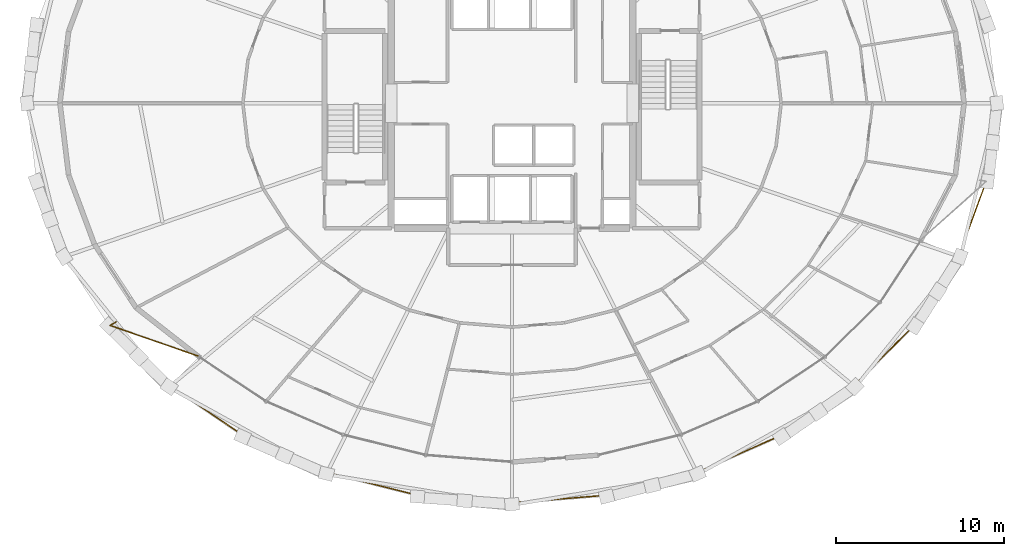
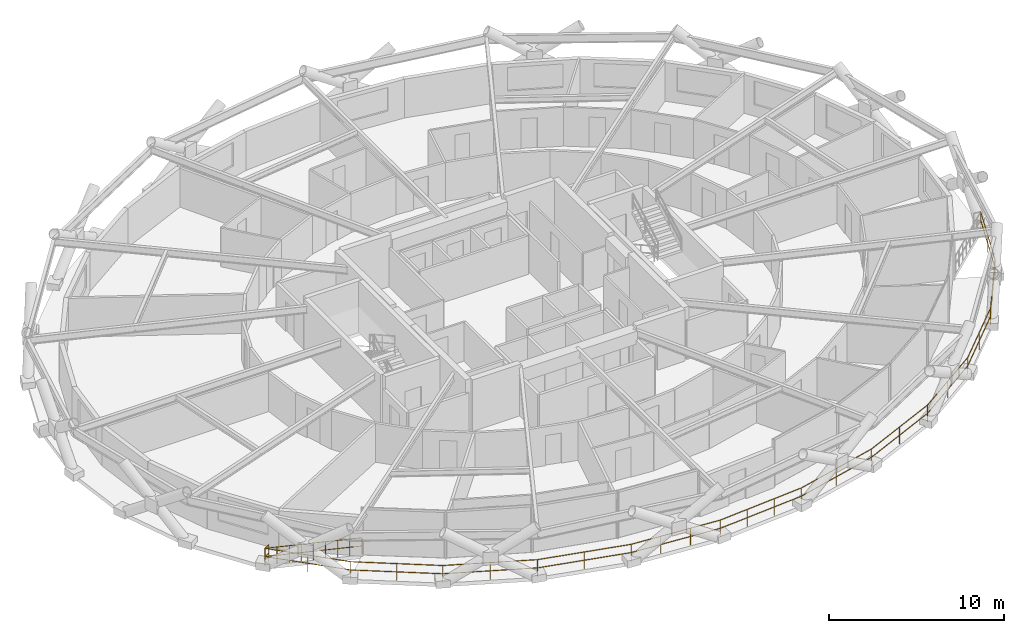
# One storey, part 18 of 19: 2 railings.
"""IFC4 building model written with IfcOpenShell, lengths in metres."""

from ifc_helpers import new_model, si_unit, direction, frame, origin, origin_2d, place, context, subcontext, project, spatial, circle, extrude, material, type_object, element, save


model = new_model("IFC4")

# Units and contexts
model_context = context("Model", 3, precision=1e-05, world=origin(), true_north=direction((0.0, 1.0)))
body_context = subcontext(model_context, "Body", "Model", "MODEL_VIEW")
ifc_project = project(units=[si_unit("LENGTHUNIT", "METRE"), si_unit("AREAUNIT", "SQUARE_METRE"), si_unit("VOLUMEUNIT", "CUBIC_METRE"), si_unit("PLANEANGLEUNIT", "RADIAN"), si_unit("MASSUNIT", "GRAM", prefix="KILO")], contexts=[model_context])

# Site, building, storey
site_placement = place(None, origin())
site = spatial("IfcSite", under=ifc_project, at=site_placement, CompositionType="ELEMENT")
building_placement = place(site_placement, origin())
building = spatial("IfcBuilding", under=site, at=building_placement, Name="Veldorina Hangang Commons", CompositionType="ELEMENT")
storey_placement = place(building_placement, frame((0.0, 0.0, 70.0)))
storey = spatial("IfcBuildingStorey", under=building, at=storey_placement, Name="L17", CompositionType="ELEMENT", Elevation=70.0)

# Railings
ifc_material = material(Name="Glass Laminated Safety Balustrade", Category="glass")
railing_type = type_object("IfcRailingType", Name="RL-BAL-LOGGIA", PredefinedType="BALUSTRADE", material=ifc_material)
railing_1_placement = place(storey_placement, frame((8.39501953125, 10.954833984375, 0.0)))
element("IfcRailing", 1, at=railing_1_placement, inside=storey, type_object=railing_type, Name="L17 sky-garden loggia end balustrade A", PredefinedType="BALUSTRADE", context=body_context, shape_type="SweptSolid", body=[
    extrude(circle(Radius=0.02392578125, at=origin_2d()), frame((0.0, 0.0, 1.17578125), z_axis=(-0.87530627808, -0.483568939816, 0.0), x_axis=(0.483568939816, -0.87530627808, 0.0)), (0.0, 0.0, 1.0), 0.420166015625),
    extrude(circle(Radius=0.02392578125, at=origin_2d()), frame((0.0, 0.0, 0.60009765625), z_axis=(-0.87530627808, -0.483568939816, 0.0), x_axis=(0.483568939816, -0.87530627808, 0.0)), (0.0, 0.0, 1.0), 0.420166015625),
    extrude(circle(Radius=0.02392578125, at=origin_2d()), frame((-0.36767578125, -0.203125, 1.17578125), z_axis=(0.944571939658, -0.328304509275, 0.0), x_axis=(0.328304509275, 0.944571939658, 0.0)), (0.0, 0.0, 1.0), 5.65234375),
    extrude(circle(Radius=0.02392578125, at=origin_2d()), frame((-0.36767578125, -0.203125, 0.60009765625), z_axis=(0.944571939658, -0.328304509275, 0.0), x_axis=(0.328304509275, 0.944571939658, 0.0)), (0.0, 0.0, 1.0), 5.65234375),
    extrude(circle(Radius=0.02099609375, at=origin_2d()), origin(), (0.0, 0.0, 1.0), 1.15185546875),
    extrude(circle(Radius=0.02099609375, at=origin_2d()), frame((-0.36767578125, -0.203125, 0.0)), (0.0, 0.0, 1.0), 1.15185546875),
    extrude(circle(Radius=0.02099609375, at=origin_2d()), frame((0.2998046875, -0.43505859375, 0.0)), (0.0, 0.0, 1.0), 1.15185546875),
    extrude(circle(Radius=0.02099609375, at=origin_2d()), frame((0.967041015625, -0.6669921875, 0.0)), (0.0, 0.0, 1.0), 1.15185546875),
    extrude(circle(Radius=0.02099609375, at=origin_2d()), frame((1.634521484375, -0.89892578125, 0.0)), (0.0, 0.0, 1.0), 1.15185546875),
    extrude(circle(Radius=0.02099609375, at=origin_2d()), frame((2.3017578125, -1.130859375, 0.0)), (0.0, 0.0, 1.0), 1.15185546875),
    extrude(circle(Radius=0.02099609375, at=origin_2d()), frame((2.96923828125, -1.363037109375, 0.0)), (0.0, 0.0, 1.0), 1.15185546875),
    extrude(circle(Radius=0.02099609375, at=origin_2d()), frame((3.63671875, -1.594970703125, 0.0)), (0.0, 0.0, 1.0), 1.15185546875),
    extrude(circle(Radius=0.02099609375, at=origin_2d()), frame((4.303955078125, -1.826904296875, 0.0)), (0.0, 0.0, 1.0), 1.15185546875),
    extrude(circle(Radius=0.02099609375, at=origin_2d()), frame((4.971435546875, -2.058837890625, 0.0)), (0.0, 0.0, 1.0), 1.15185546875),
])
railing_2_placement = place(storey_placement, frame((8.02734375, 10.751708984375, 0.0)))
element("IfcRailing", 2, at=railing_2_placement, inside=storey, type_object=railing_type, Name="L17 sky-garden loggia outer balustrade", PredefinedType="BALUSTRADE", context=body_context, shape_type="SweptSolid", body=[
    extrude(circle(Radius=0.02392578125, at=origin_2d()), frame((0.0, 0.0, 1.17578125), z_axis=(0.704728922212, -0.709476670651, 0.0), x_axis=(0.709476670651, 0.704728922212, 0.0)), (0.0, 0.0, 1.0), 5.0908203125),
    extrude(circle(Radius=0.02392578125, at=origin_2d()), frame((0.0, 0.0, 0.60009765625), z_axis=(0.704728922212, -0.709476670651, 0.0), x_axis=(0.709476670651, 0.704728922212, 0.0)), (0.0, 0.0, 1.0), 5.0908203125),
    extrude(circle(Radius=0.02392578125, at=origin_2d()), frame((3.587646484375, -3.61181640625, 1.17578125), z_axis=(0.82772888147, -0.561128237376, 0.0), x_axis=(0.561128237376, 0.82772888147, 0.0)), (0.0, 0.0, 1.0), 5.2802734375),
    extrude(circle(Radius=0.02392578125, at=origin_2d()), frame((3.587646484375, -3.61181640625, 0.60009765625), z_axis=(0.82772888147, -0.561128237376, 0.0), x_axis=(0.561128237376, 0.82772888147, 0.0)), (0.0, 0.0, 1.0), 5.2802734375),
    extrude(circle(Radius=0.02392578125, at=origin_2d()), frame((7.958251953125, -6.57470703125, 1.17578125), z_axis=(0.914810214507, -0.40388398264, 0.0), x_axis=(0.40388398264, 0.914810214507, 0.0)), (0.0, 0.0, 1.0), 5.44873046875),
    extrude(circle(Radius=0.02392578125, at=origin_2d()), frame((7.958251953125, -6.57470703125, 0.60009765625), z_axis=(0.914810214507, -0.40388398264, 0.0), x_axis=(0.40388398264, 0.914810214507, 0.0)), (0.0, 0.0, 1.0), 5.44873046875),
    extrude(circle(Radius=0.02392578125, at=origin_2d()), frame((12.94287109375, -8.775390625, 1.17578125), z_axis=(0.970018711572, -0.243030243386, 0.0), x_axis=(0.243030243386, 0.970018711572, 0.0)), (0.0, 0.0, 1.0), 5.574462890625),
    extrude(circle(Radius=0.02392578125, at=origin_2d()), frame((12.94287109375, -8.775390625, 0.60009765625), z_axis=(0.970018711572, -0.243030243386, 0.0), x_axis=(0.243030243386, 0.970018711572, 0.0)), (0.0, 0.0, 1.0), 5.574462890625),
    extrude(circle(Radius=0.02392578125, at=origin_2d()), frame((18.35009765625, -10.130126953125, 1.17578125), z_axis=(0.996709137379, -0.081061060109, 0.0), x_axis=(0.081061060109, 0.996709137379, 0.0)), (0.0, 0.0, 1.0), 5.64111328125),
    extrude(circle(Radius=0.02392578125, at=origin_2d()), frame((18.35009765625, -10.130126953125, 0.60009765625), z_axis=(0.996709137379, -0.081061060109, 0.0), x_axis=(0.081061060109, 0.996709137379, 0.0)), (0.0, 0.0, 1.0), 5.64111328125),
    extrude(circle(Radius=0.02392578125, at=origin_2d()), frame((23.97265625, -10.58740234375, 1.17578125), z_axis=(0.996709137379, 0.081061060109, 0.0), x_axis=(-0.081061060109, 0.996709137379, 0.0)), (0.0, 0.0, 1.0), 5.64111328125),
    extrude(circle(Radius=0.02392578125, at=origin_2d()), frame((23.97265625, -10.58740234375, 0.60009765625), z_axis=(0.996709137379, 0.081061060109, 0.0), x_axis=(-0.081061060109, 0.996709137379, 0.0)), (0.0, 0.0, 1.0), 5.64111328125),
    extrude(circle(Radius=0.02392578125, at=origin_2d()), frame((29.59521484375, -10.130126953125, 1.17578125), z_axis=(0.970018711572, 0.243030243386, 0.0), x_axis=(-0.243030243386, 0.970018711572, 0.0)), (0.0, 0.0, 1.0), 5.574462890625),
    extrude(circle(Radius=0.02392578125, at=origin_2d()), frame((29.59521484375, -10.130126953125, 0.60009765625), z_axis=(0.970018711572, 0.243030243386, 0.0), x_axis=(-0.243030243386, 0.970018711572, 0.0)), (0.0, 0.0, 1.0), 5.574462890625),
    extrude(circle(Radius=0.02392578125, at=origin_2d()), frame((35.00244140625, -8.775390625, 1.17578125), z_axis=(0.914810214507, 0.40388398264, 0.0), x_axis=(-0.40388398264, 0.914810214507, 0.0)), (0.0, 0.0, 1.0), 5.44873046875),
    extrude(circle(Radius=0.02392578125, at=origin_2d()), frame((35.00244140625, -8.775390625, 0.60009765625), z_axis=(0.914810214507, 0.40388398264, 0.0), x_axis=(-0.40388398264, 0.914810214507, 0.0)), (0.0, 0.0, 1.0), 5.44873046875),
    extrude(circle(Radius=0.02392578125, at=origin_2d()), frame((39.987060546875, -6.57470703125, 1.17578125), z_axis=(0.82772888147, 0.561128237376, 0.0), x_axis=(-0.561128237376, 0.82772888147, 0.0)), (0.0, 0.0, 1.0), 5.2802734375),
    extrude(circle(Radius=0.02392578125, at=origin_2d()), frame((39.987060546875, -6.57470703125, 0.60009765625), z_axis=(0.82772888147, 0.561128237376, 0.0), x_axis=(-0.561128237376, 0.82772888147, 0.0)), (0.0, 0.0, 1.0), 5.2802734375),
    extrude(circle(Radius=0.02392578125, at=origin_2d()), frame((44.357666015625, -3.61181640625, 1.17578125), z_axis=(0.704728922212, 0.709476670651, 0.0), x_axis=(-0.709476670651, 0.704728922212, 0.0)), (0.0, 0.0, 1.0), 5.0908203125),
    extrude(circle(Radius=0.02392578125, at=origin_2d()), frame((44.357666015625, -3.61181640625, 0.60009765625), z_axis=(0.704728922212, 0.709476670651, 0.0), x_axis=(-0.709476670651, 0.704728922212, 0.0)), (0.0, 0.0, 1.0), 5.0908203125),
    extrude(circle(Radius=0.02392578125, at=origin_2d()), frame((47.9453125, 0.0, 1.17578125), z_axis=(0.543113115438, 0.839659540432, 0.0), x_axis=(-0.839659540432, 0.543113115438, 0.0)), (0.0, 0.0, 1.0), 4.9091796875),
    extrude(circle(Radius=0.02392578125, at=origin_2d()), frame((47.9453125, 0.0, 0.60009765625), z_axis=(0.543113115438, 0.839659540432, 0.0), x_axis=(-0.839659540432, 0.543113115438, 0.0)), (0.0, 0.0, 1.0), 4.9091796875),
    extrude(circle(Radius=0.02392578125, at=origin_2d()), frame((50.611572265625, 4.1220703125, 1.17578125), z_axis=(0.344624924227, 0.938740465518, 0.0), x_axis=(-0.938740465518, 0.344624924227, 0.0)), (0.0, 0.0, 1.0), 4.765625),
    extrude(circle(Radius=0.02392578125, at=origin_2d()), frame((50.611572265625, 4.1220703125, 0.60009765625), z_axis=(0.344624924227, 0.938740465518, 0.0), x_axis=(-0.938740465518, 0.344624924227, 0.0)), (0.0, 0.0, 1.0), 4.765625),
    extrude(circle(Radius=0.02099609375, at=origin_2d()), origin(), (0.0, 0.0, 1.0), 1.15185546875),
    extrude(circle(Radius=0.02099609375, at=origin_2d()), frame((1.7939453125, -1.805908203125, 0.0)), (0.0, 0.0, 1.0), 1.15185546875),
    extrude(circle(Radius=0.02099609375, at=origin_2d()), frame((3.587646484375, -3.61181640625, 0.0)), (0.0, 0.0, 1.0), 1.15185546875),
    extrude(circle(Radius=0.02099609375, at=origin_2d()), frame((5.77294921875, -5.09326171875, 0.0)), (0.0, 0.0, 1.0), 1.15185546875),
    extrude(circle(Radius=0.02099609375, at=origin_2d()), frame((7.958251953125, -6.57470703125, 0.0)), (0.0, 0.0, 1.0), 1.15185546875),
    extrude(circle(Radius=0.02099609375, at=origin_2d()), frame((10.45068359375, -7.675048828125, 0.0)), (0.0, 0.0, 1.0), 1.15185546875),
    extrude(circle(Radius=0.02099609375, at=origin_2d()), frame((12.94287109375, -8.775390625, 0.0)), (0.0, 0.0, 1.0), 1.15185546875),
    extrude(circle(Radius=0.02099609375, at=origin_2d()), frame((15.646484375, -9.45263671875, 0.0)), (0.0, 0.0, 1.0), 1.15185546875),
    extrude(circle(Radius=0.02099609375, at=origin_2d()), frame((18.35009765625, -10.130126953125, 0.0)), (0.0, 0.0, 1.0), 1.15185546875),
    extrude(circle(Radius=0.02099609375, at=origin_2d()), frame((20.224365234375, -10.282470703125, 0.0)), (0.0, 0.0, 1.0), 1.15185546875),
    extrude(circle(Radius=0.02099609375, at=origin_2d()), frame((22.098388671875, -10.43505859375, 0.0)), (0.0, 0.0, 1.0), 1.15185546875),
    extrude(circle(Radius=0.02099609375, at=origin_2d()), frame((23.97265625, -10.58740234375, 0.0)), (0.0, 0.0, 1.0), 1.15185546875),
    extrude(circle(Radius=0.02099609375, at=origin_2d()), frame((25.846923828125, -10.43505859375, 0.0)), (0.0, 0.0, 1.0), 1.15185546875),
    extrude(circle(Radius=0.02099609375, at=origin_2d()), frame((27.720947265625, -10.282470703125, 0.0)), (0.0, 0.0, 1.0), 1.15185546875),
    extrude(circle(Radius=0.02099609375, at=origin_2d()), frame((29.59521484375, -10.130126953125, 0.0)), (0.0, 0.0, 1.0), 1.15185546875),
    extrude(circle(Radius=0.02099609375, at=origin_2d()), frame((32.298828125, -9.45263671875, 0.0)), (0.0, 0.0, 1.0), 1.15185546875),
    extrude(circle(Radius=0.02099609375, at=origin_2d()), frame((35.00244140625, -8.775390625, 0.0)), (0.0, 0.0, 1.0), 1.15185546875),
    extrude(circle(Radius=0.02099609375, at=origin_2d()), frame((37.49462890625, -7.675048828125, 0.0)), (0.0, 0.0, 1.0), 1.15185546875),
    extrude(circle(Radius=0.02099609375, at=origin_2d()), frame((39.987060546875, -6.57470703125, 0.0)), (0.0, 0.0, 1.0), 1.15185546875),
    extrude(circle(Radius=0.02099609375, at=origin_2d()), frame((42.17236328125, -5.09326171875, 0.0)), (0.0, 0.0, 1.0), 1.15185546875),
    extrude(circle(Radius=0.02099609375, at=origin_2d()), frame((44.357666015625, -3.61181640625, 0.0)), (0.0, 0.0, 1.0), 1.15185546875),
    extrude(circle(Radius=0.02099609375, at=origin_2d()), frame((46.1513671875, -1.805908203125, 0.0)), (0.0, 0.0, 1.0), 1.15185546875),
    extrude(circle(Radius=0.02099609375, at=origin_2d()), frame((47.9453125, 0.0, 0.0)), (0.0, 0.0, 1.0), 1.15185546875),
    extrude(circle(Radius=0.02099609375, at=origin_2d()), frame((49.2783203125, 2.06103515625, 0.0)), (0.0, 0.0, 1.0), 1.15185546875),
    extrude(circle(Radius=0.02099609375, at=origin_2d()), frame((50.611572265625, 4.1220703125, 0.0)), (0.0, 0.0, 1.0), 1.15185546875),
    extrude(circle(Radius=0.02099609375, at=origin_2d()), frame((51.4326171875, 6.35888671875, 0.0)), (0.0, 0.0, 1.0), 1.15185546875),
    extrude(circle(Radius=0.02099609375, at=origin_2d()), frame((52.25390625, 8.595703125, 0.0)), (0.0, 0.0, 1.0), 1.15185546875),
])

save(model, "model.ifc")
